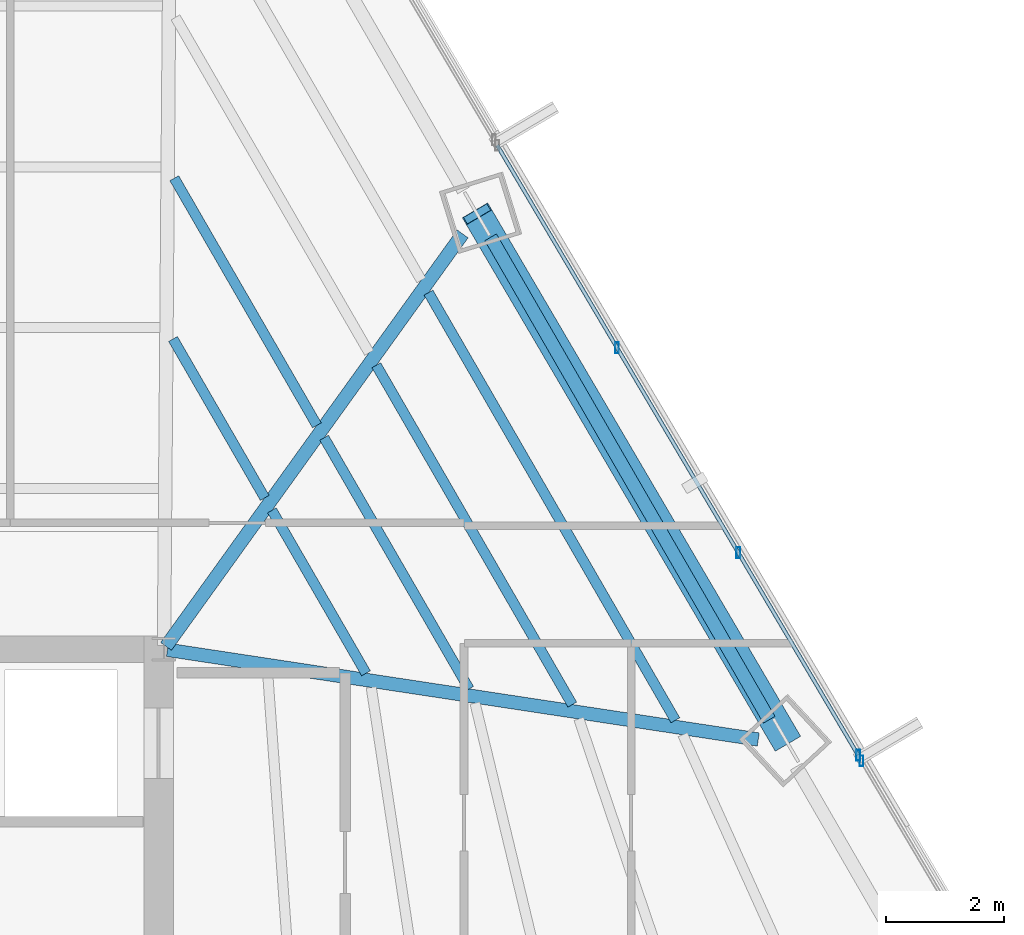
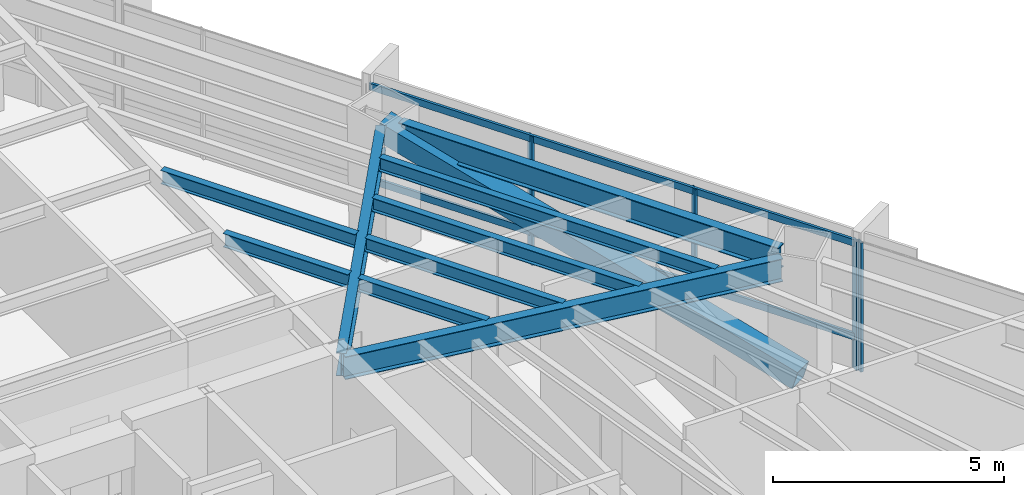
# One storey, part 22 of 35: 9 beams, 7 members, 2 elements without a shape of their own.
"""IFC4 building model written with IfcOpenShell, lengths in metres."""

from ifc_helpers import new_model, si_unit, direction, frame, origin, origin_2d, place, context, subcontext, project, spatial, hollow_rectangle, i_section, extrude, source, transform, mapped, material, material_profile, profile_set, type_object, type_shapes, element, aggregate, save


model = new_model("IFC4")

# Units and contexts
model_context = context("Model", 3, precision=1e-05, world=origin(), true_north=direction((0.0, 1.0)))
body_context = subcontext(model_context, "Body", "Model", "MODEL_VIEW")
ifc_project = project(units=[si_unit("LENGTHUNIT", "METRE"), si_unit("AREAUNIT", "SQUARE_METRE"), si_unit("VOLUMEUNIT", "CUBIC_METRE"), si_unit("PLANEANGLEUNIT", "RADIAN"), si_unit("MASSUNIT", "GRAM", prefix="KILO")], contexts=[model_context])

# Site, building, storey
site_placement = place(None, origin())
site = spatial("IfcSite", under=ifc_project, at=site_placement, CompositionType="ELEMENT")
building_placement = place(site_placement, origin())
building = spatial("IfcBuilding", under=site, at=building_placement, Name="Caelisora Broadcast Tower", CompositionType="ELEMENT")
storey_placement = place(building_placement, frame((0.0, 0.0, 94.449951171875)))
storey = spatial("IfcBuildingStorey", under=building, at=storey_placement, Name="L24", CompositionType="ELEMENT", Elevation=94.449951171875)

# Beams
ifc_material_1 = material(Name="Steel Grade 350 (AS/NZS 3679.1)", Category="steel")
ifc_material_profile_1 = material_profile(ifc_material_1, i_section(OverallWidth=0.22900390625, OverallDepth=0.611572265625, WebThickness=0.011962890625, FlangeThickness=0.01953125, at=origin_2d()), Name="Steel Grade 350 (AS/NZS 3679.1)")
ifc_profile_set_1 = profile_set([ifc_material_profile_1], Name="Steel Grade 350 (AS/NZS 3679.1)")
beam_type_1 = type_object("IfcBeamType", Name="PG03", PredefinedType="BEAM", material=ifc_profile_set_1)
shared_shape_1 = source(origin(), body_context, "Body", "SweptSolid", [
    extrude(i_section(OverallWidth=0.22900390625, OverallDepth=0.611572265625, WebThickness=0.011962890625, FlangeThickness=0.01953125, at=origin_2d()), origin(), (0.0, 0.0, 1.0), 9.4677734375),
])
type_shapes(beam_type_1, [shared_shape_1])
beam_1_placement = place(storey_placement, frame((55.785400390625, 28.802001953125, 3.09423828125), z_axis=(-0.499994028088, 0.866028851642, 0.0), x_axis=(-0.866028851642, -0.499994028088, 0.0)))
element("IfcBeam", 1, at=beam_1_placement, inside=storey, type_object=beam_type_1, Name="L24 beam PG03", PredefinedType="BEAM", context=body_context, shape_type="MappedRepresentation", body=[
    mapped(shared_shape_1, transform((0.0, 0.0, 0.0), scale=1.0)),
])
ifc_material_profile_2 = material_profile(ifc_material_1, i_section(OverallWidth=0.22802734375, OverallDepth=0.602294921875, WebThickness=0.010498046875, FlangeThickness=0.014892578125, at=origin_2d()), Name="Steel Grade 350 (AS/NZS 3679.1)")
ifc_profile_set_2 = profile_set([ifc_material_profile_2], Name="Steel Grade 350 (AS/NZS 3679.1)")
beam_type_2 = type_object("IfcBeamType", Name="PG04", PredefinedType="BEAM", material=ifc_profile_set_2)
shared_shape_2 = source(origin(), body_context, "Body", "SweptSolid", [
    extrude(i_section(OverallWidth=0.22802734375, OverallDepth=0.602294921875, WebThickness=0.010498046875, FlangeThickness=0.014892578125, at=origin_2d()), origin(), (0.0, 0.0, 1.0), 8.634765625),
])
beam_2_placement = place(storey_placement, frame((45.534912109375, 30.048583984375, 3.098876953125), z_axis=(0.583837610273, 0.811870460622, 0.0), x_axis=(-0.811870460622, 0.583837610273, 0.0)))
element("IfcBeam", 2, at=beam_2_placement, inside=storey, type_object=beam_type_2, Name="L24 beam PG04", PredefinedType="BEAM", context=body_context, shape_type="MappedRepresentation", body=[
    mapped(shared_shape_2, transform((0.0, 0.0, 0.0), scale=1.0)),
])
shared_shape_3 = source(origin(), body_context, "Body", "SweptSolid", [
    extrude(i_section(OverallWidth=0.22802734375, OverallDepth=0.602294921875, WebThickness=0.010498046875, FlangeThickness=0.014892578125, at=origin_2d()), origin(), (0.0, 0.0, 1.0), 10.15576171875),
])
type_shapes(beam_type_2, [shared_shape_2, shared_shape_3])
beam_3_placement = place(storey_placement, frame((45.559326171875, 29.990966796875, 3.098876953125), z_axis=(0.988674033814, -0.150078828825, 0.0), x_axis=(0.150078828825, 0.988674033814, 0.0)))
element("IfcBeam", 3, at=beam_3_placement, inside=storey, type_object=beam_type_2, Name="L24 beam PG04", PredefinedType="BEAM", context=body_context, shape_type="MappedRepresentation", body=[
    mapped(shared_shape_3, transform((0.0, 0.0, 0.0), scale=1.0)),
])
ifc_material_profile_3 = material_profile(ifc_material_1, i_section(OverallWidth=0.172119140625, OverallDepth=0.358642578125, WebThickness=0.008056640625, FlangeThickness=0.012939453125, at=origin_2d()), Name="Steel Grade 350 (AS/NZS 3679.1)")
ifc_profile_set_3 = profile_set([ifc_material_profile_3], Name="Steel Grade 350 (AS/NZS 3679.1)")
beam_type_3 = type_object("IfcBeamType", Name="SB02", PredefinedType="JOIST", material=ifc_profile_set_3)
shared_shape_4 = source(origin(), body_context, "Body", "SweptSolid", [
    extrude(i_section(OverallWidth=0.172119140625, OverallDepth=0.358642578125, WebThickness=0.008056640625, FlangeThickness=0.012939453125, at=origin_2d()), origin(), (0.0, 0.0, 1.0), 3.118408203125),
])
beam_4_placement = place(storey_placement, frame((47.212646484375, 32.572509765625, 3.220703125), z_axis=(-0.499961910629, 0.866047393576, 0.0), x_axis=(-0.866047393576, -0.499961910629, 0.0)))
element("IfcBeam", 4, at=beam_4_placement, inside=storey, type_object=beam_type_3, Name="L24 beam SB02", PredefinedType="JOIST", context=body_context, shape_type="MappedRepresentation", body=[
    mapped(shared_shape_4, transform((0.0, 0.0, 0.0), scale=1.0)),
])
shared_shape_5 = source(origin(), body_context, "Body", "SweptSolid", [
    extrude(i_section(OverallWidth=0.172119140625, OverallDepth=0.358642578125, WebThickness=0.008056640625, FlangeThickness=0.012939453125, at=origin_2d()), origin(), (0.0, 0.0, 1.0), 4.849853515625),
])
beam_5_placement = place(storey_placement, frame((48.099609375, 33.8056640625, 3.220703125), z_axis=(-0.499972286653, 0.866041403502, 0.0), x_axis=(-0.866041403502, -0.499972286653, 0.0)))
element("IfcBeam", 5, at=beam_5_placement, inside=storey, type_object=beam_type_3, Name="L24 beam SB02", PredefinedType="JOIST", context=body_context, shape_type="MappedRepresentation", body=[
    mapped(shared_shape_5, transform((0.0, 0.0, 0.0), scale=1.0)),
])
shared_shape_6 = source(origin(), body_context, "Body", "SweptSolid", [
    extrude(i_section(OverallWidth=0.172119140625, OverallDepth=0.358642578125, WebThickness=0.008056640625, FlangeThickness=0.012939453125, at=origin_2d()), origin(), (0.0, 0.0, 1.0), 3.197509765625),
])
beam_6_placement = place(storey_placement, frame((48.93359375, 29.591796875, 3.220703125), z_axis=(-0.500039698392, 0.866002482694, 0.0), x_axis=(-0.866002482694, -0.500039698392, 0.0)))
element("IfcBeam", 6, at=beam_6_placement, inside=storey, type_object=beam_type_3, Name="L24 beam SB02", PredefinedType="JOIST", context=body_context, shape_type="MappedRepresentation", body=[
    mapped(shared_shape_6, transform((0.0, 0.0, 0.0), scale=1.0)),
])
shared_shape_7 = source(origin(), body_context, "Body", "SweptSolid", [
    extrude(i_section(OverallWidth=0.172119140625, OverallDepth=0.358642578125, WebThickness=0.008056640625, FlangeThickness=0.012939453125, at=origin_2d()), origin(), (0.0, 0.0, 1.0), 4.928955078125),
])
beam_7_placement = place(storey_placement, frame((50.686279296875, 29.32568359375, 3.220703125), z_axis=(-0.500022582332, 0.866012365477, 0.0), x_axis=(-0.866012365477, -0.500022582332, 0.0)))
element("IfcBeam", 7, at=beam_7_placement, inside=storey, type_object=beam_type_3, Name="L24 beam SB02", PredefinedType="JOIST", context=body_context, shape_type="MappedRepresentation", body=[
    mapped(shared_shape_7, transform((0.0, 0.0, 0.0), scale=1.0)),
])
shared_shape_8 = source(origin(), body_context, "Body", "SweptSolid", [
    extrude(i_section(OverallWidth=0.172119140625, OverallDepth=0.358642578125, WebThickness=0.008056640625, FlangeThickness=0.012939453125, at=origin_2d()), origin(), (0.0, 0.0, 1.0), 6.66015625),
])
beam_8_placement = place(storey_placement, frame((52.438720703125, 29.0595703125, 3.220703125), z_axis=(-0.500002746266, 0.866023818221, 0.0), x_axis=(-0.866023818221, -0.500002746266, 0.0)))
element("IfcBeam", 8, at=beam_8_placement, inside=storey, type_object=beam_type_3, Name="L24 beam SB02", PredefinedType="JOIST", context=body_context, shape_type="MappedRepresentation", body=[
    mapped(shared_shape_8, transform((0.0, 0.0, 0.0), scale=1.0)),
])
shared_shape_9 = source(origin(), body_context, "Body", "SweptSolid", [
    extrude(i_section(OverallWidth=0.172119140625, OverallDepth=0.358642578125, WebThickness=0.008056640625, FlangeThickness=0.012939453125, at=origin_2d()), origin(), (0.0, 0.0, 1.0), 8.3916015625),
])
type_shapes(beam_type_3, [shared_shape_4, shared_shape_5, shared_shape_6, shared_shape_7, shared_shape_8, shared_shape_9])
beam_9_placement = place(storey_placement, frame((54.19140625, 28.79345703125, 3.220703125), z_axis=(-0.500000317199, 0.866025220649, 0.0), x_axis=(-0.866025220649, -0.500000317199, 0.0)))
element("IfcBeam", 9, at=beam_9_placement, inside=storey, type_object=beam_type_3, Name="L24 beam SB02", PredefinedType="JOIST", context=body_context, shape_type="MappedRepresentation", body=[
    mapped(shared_shape_9, transform((0.0, 0.0, 0.0), scale=1.0)),
])

# Member
ifc_material_2 = material(Name="Steel Grade 450 L15 (AS/NZS 3678)", Category="steel")
ifc_material_profile_4 = material_profile(ifc_material_2, hollow_rectangle(XDim=0.5, YDim=0.5, WallThickness=0.02001953125, at=origin_2d()), Name="Steel Grade 450 L15 (AS/NZS 3678)")
ifc_profile_set_4 = profile_set([ifc_material_profile_4], Name="Steel Grade 450 L15 (AS/NZS 3678)")
member_type_1 = type_object("IfcMemberType", Name="BR02", PredefinedType="BRACE", material=ifc_profile_set_4)
shared_shape_10 = source(origin(), body_context, "Body", "SweptSolid", [
    extrude(hollow_rectangle(XDim=0.5, YDim=0.5, WallThickness=0.02001953125, at=origin_2d()), origin(), (0.0, 0.0, 1.0), 10.796875),
])
type_shapes(member_type_1, [shared_shape_10])
member_1_placement = place(storey_placement, frame((56.069580078125, 28.4541015625, 0.10009765625), z_axis=(-0.486094773937, 0.828556761715, 0.277858891107), x_axis=(-0.862521207225, -0.506020915663, 0.0)))
element("IfcMember", 10, at=member_1_placement, inside=storey, type_object=member_type_1, Name="L24 perimeter brace BR02", PredefinedType="BRACE", context=body_context, shape_type="MappedRepresentation", body=[
    mapped(shared_shape_10, transform((0.0, 0.0, 0.0), scale=1.0)),
])

# Curtain wall, members
ifc_material_3 = material(Name="Unitised Aluminium Insulated Shadow-Box Spandrel Curtain Wall", Category="aluminium")
curtain_wall_type_1 = type_object("IfcCurtainWallType", Name="CW-SP1", PredefinedType="NOTDEFINED", material=ifc_material_3)
curtain_wall_1_placement = place(storey_placement, origin())
curtain_wall_1 = element("IfcCurtainWall", 11, at=curtain_wall_1_placement, inside=storey, type_object=curtain_wall_type_1, Name="L24 curtain wall CW-SP1", PredefinedType="NOTDEFINED")
ifc_material_4 = material(Name="Aluminium 6063-T6 Anodised Terracotta Bronze", Category="aluminium")
ifc_material_profile_5 = material_profile(ifc_material_4, hollow_rectangle(XDim=0.06494140625, YDim=0.179931640625, WallThickness=0.00341796875, at=origin_2d()), Name="Aluminium 6063-T6 Anodised Terracotta Bronze")
ifc_profile_set_5 = profile_set([ifc_material_profile_5], Name="Aluminium 6063-T6 Anodised Terracotta Bronze")
member_type_2 = type_object("IfcMemberType", Name="CWM-02", PredefinedType="MULLION", material=ifc_profile_set_5)
shared_shape_11 = source(origin(), body_context, "Body", "SweptSolid", [
    extrude(hollow_rectangle(XDim=0.06494140625, YDim=0.179931640625, WallThickness=0.00341796875, at=origin_2d()), origin(), (0.0, 0.0, 1.0), 3.400146484375),
])
type_shapes(member_type_2, [shared_shape_11])
member_2_placement = place(storey_placement, frame((53.2001953125, 35.123779296875, 0.0), z_axis=(0.0, 0.0, 1.0), x_axis=(1.0, 0.0, 0.0)))
member_2 = element("IfcMember", 12, at=member_2_placement, type_object=member_type_2, Name="L24-CW-B02 mullion #1", PredefinedType="MULLION", context=body_context, shape_type="MappedRepresentation", body=[
    mapped(shared_shape_11, transform((0.0, 0.0, 0.0), scale=1.0)),
])
member_3_placement = place(storey_placement, frame((55.261962890625, 31.639892578125, 0.0), z_axis=(0.0, 0.0, 1.0), x_axis=(1.0, 0.0, 0.0)))
member_3 = element("IfcMember", 13, at=member_3_placement, type_object=member_type_2, Name="L24-CW-B02 mullion #2", PredefinedType="MULLION", context=body_context, shape_type="MappedRepresentation", body=[
    mapped(shared_shape_11, transform((0.0, 0.0, 0.0), scale=1.0)),
])
member_4_placement = place(storey_placement, frame((57.29833984375, 28.19921875, 0.0), z_axis=(0.0, 0.0, 1.0), x_axis=(1.0, 0.0, 0.0)))
member_4 = element("IfcMember", 14, at=member_4_placement, type_object=member_type_2, Name="L24-CW-B02 mullion #3", PredefinedType="MULLION", context=body_context, shape_type="MappedRepresentation", body=[
    mapped(shared_shape_11, transform((0.0, 0.0, 0.0), scale=1.0)),
])

# Curtain wall, member
ifc_material_5 = material(Name="Unitised Aluminium and Low-E Glass Curtain Wall", Category="glass")
curtain_wall_type_2 = type_object("IfcCurtainWallType", Name="CW-Z2", PredefinedType="NOTDEFINED", material=ifc_material_5)
curtain_wall_2_placement = place(storey_placement, origin())
curtain_wall_2 = element("IfcCurtainWall", 15, at=curtain_wall_2_placement, inside=storey, type_object=curtain_wall_type_2, Name="L24 curtain wall CW-Z2", PredefinedType="NOTDEFINED")
member_5_placement = place(storey_placement, frame((57.3544921875, 28.104736328125, 0.0), z_axis=(0.0, 0.0, 1.0), x_axis=(1.0, 0.0, 0.0)))
member_5 = element("IfcMember", 16, at=member_5_placement, type_object=member_type_2, Name="L24-CW-B03 mullion #0", PredefinedType="MULLION", context=body_context, shape_type="MappedRepresentation", body=[
    mapped(shared_shape_11, transform((0.0, 0.0, 0.0), scale=1.0)),
])
aggregate(curtain_wall_2, [member_5])

# Member
ifc_material_profile_6 = material_profile(ifc_material_4, hollow_rectangle(XDim=0.06494140625, YDim=0.179931640625, WallThickness=0.00341796875, at=origin_2d()), Name="Aluminium 6063-T6 Anodised Terracotta Bronze")
ifc_profile_set_6 = profile_set([ifc_material_profile_6], Name="Aluminium 6063-T6 Anodised Terracotta Bronze")
member_type_3 = type_object("IfcMemberType", Name="CWT-01", PredefinedType="USERDEFINED", material=ifc_profile_set_6)
shared_shape_12 = source(origin(), body_context, "Body", "SweptSolid", [
    extrude(hollow_rectangle(XDim=0.06494140625, YDim=0.179931640625, WallThickness=0.00341796875, at=origin_2d()), origin(), (0.0, 0.0, 1.0), 12.04443359375),
])
type_shapes(member_type_3, [shared_shape_12])
member_6_placement = place(storey_placement, frame((51.163818359375, 38.564453125, 0.85009765625), z_axis=(0.509320587555, -0.86057686414, 0.0), x_axis=(0.86057686414, 0.509320587555, 0.0)))
member_6 = element("IfcMember", 17, at=member_6_placement, type_object=member_type_3, Name="L24-CW-B02 transom #1", ObjectType="TRANSOM", PredefinedType="USERDEFINED", context=body_context, shape_type="MappedRepresentation", body=[
    mapped(shared_shape_12, transform((0.0, 0.0, 0.0), scale=1.0)),
])

member_7_placement = place(storey_placement, frame((51.163818359375, 38.564453125, 3.320068359375), z_axis=(0.509320587555, -0.86057686414, 0.0), x_axis=(0.86057686414, 0.509320587555, 0.0)))
member_7 = element("IfcMember", 18, at=member_7_placement, type_object=member_type_3, Name="L24-CW-B02 transom #2", ObjectType="TRANSOM", PredefinedType="USERDEFINED", context=body_context, shape_type="MappedRepresentation", body=[
    mapped(shared_shape_12, transform((0.0, 0.0, 0.0), scale=1.0)),
])

aggregate(curtain_wall_1, [member_2, member_3, member_4, member_6, member_7])

save(model, "model.ifc")
